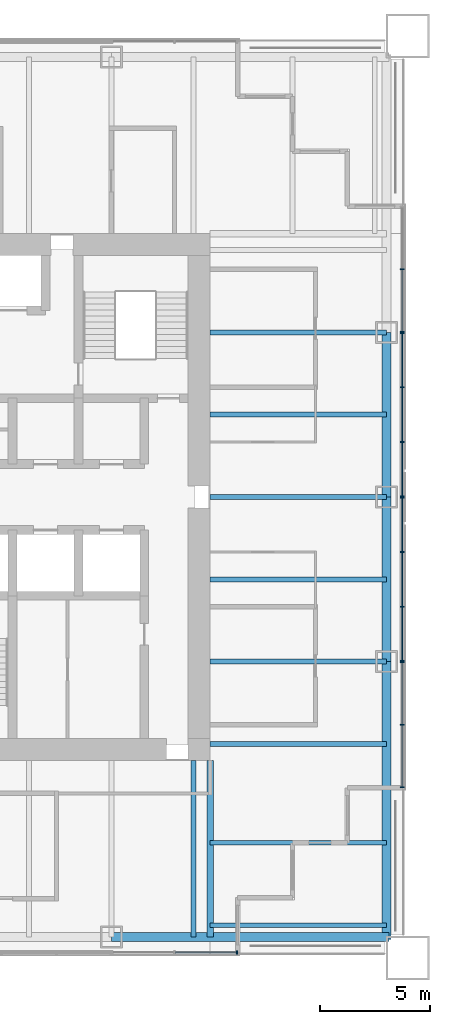
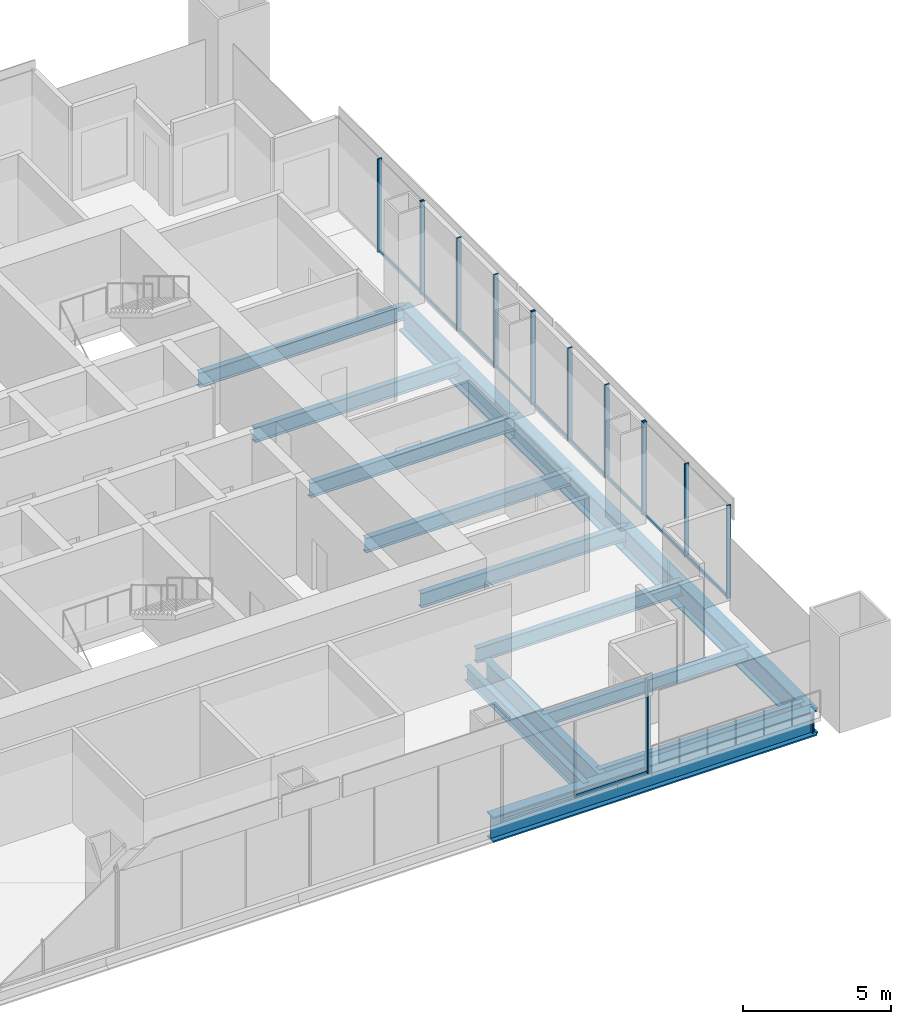
# One storey, part 5 of 14: 24 members, 14 beams, 5 elements without a shape of their own.
"""IFC4 building model written with IfcOpenShell, lengths in metres."""

from ifc_helpers import new_model, si_unit, direction, frame, origin, origin_2d, place, context, subcontext, project, spatial, rectangle, i_section, extrude, material, material_profile, profile_set, type_object, element, aggregate, save


model = new_model("IFC4")

# Units and contexts
model_context = context("Model", 3, precision=1e-05, world=origin(), true_north=direction((0.0, 1.0)))
body_context = subcontext(model_context, "Body", "Model", "MODEL_VIEW")
ifc_project = project(units=[si_unit("LENGTHUNIT", "METRE"), si_unit("AREAUNIT", "SQUARE_METRE"), si_unit("VOLUMEUNIT", "CUBIC_METRE"), si_unit("PLANEANGLEUNIT", "RADIAN"), si_unit("MASSUNIT", "GRAM", prefix="KILO")], contexts=[model_context])

# Site, building, storey
site_placement = place(None, origin())
site = spatial("IfcSite", under=ifc_project, at=site_placement, CompositionType="ELEMENT")
building_placement = place(site_placement, origin())
building = spatial("IfcBuilding", under=site, at=building_placement, Name="Tarangal Relay Tower", CompositionType="ELEMENT")
storey_placement = place(building_placement, frame((0.0, 0.0, 311.89990234375)))
storey = spatial("IfcBuildingStorey", under=building, at=storey_placement, Name="L69", CompositionType="ELEMENT", Elevation=311.89990234375)

# Beams
ifc_material_1 = material(Name="Steel ASTM A992", Category="steel")
ifc_material_profile_1 = material_profile(ifc_material_1, i_section(OverallWidth=0.209228515625, OverallDepth=0.533447265625, WebThickness=0.01025390625, FlangeThickness=0.015625, at=origin_2d()), Name="W21X62")
ifc_profile_set_1 = profile_set([ifc_material_profile_1], Name="Steel ASTM A992")
beam_type_1 = type_object("IfcBeamType", Name="Corner beam W21X62", PredefinedType="JOIST", material=ifc_profile_set_1)
for number, where, z_axis, x_axis, name in (
    (1, (12.0, -15.75, -0.41650390625), (1.0, 0.0, 0.0), (0.0, 1.0, 0.0), "Corner beam CB12 E L69"),
    (2, (12.0, -19.5, -0.41650390625), (1.0, 0.0, 0.0), (0.0, 1.0, 0.0), "Corner beam CB12 E L69"),
):
    element("IfcBeam", number, at=place(storey_placement, frame(where, z_axis=z_axis, x_axis=x_axis)), inside=storey, type_object=beam_type_1, Name=name, PredefinedType="JOIST", context=body_context, shape_type="SweptSolid", body=[
        extrude(i_section(OverallWidth=0.209228515625, OverallDepth=0.533447265625, WebThickness=0.01025390625, FlangeThickness=0.015625, at=origin_2d()), origin(), (0.0, 0.0, 1.0), 8.0400390625),
    ])
ifc_material_profile_2 = material_profile(ifc_material_1, i_section(OverallWidth=0.2919921875, OverallDepth=0.8408203125, WebThickness=0.0146484375, FlangeThickness=0.021728515625, at=origin_2d()), Name="W33X130")
ifc_profile_set_2 = profile_set([ifc_material_profile_2], Name="Steel ASTM A992")
beam_type_2 = type_object("IfcBeamType", Name="Corner girder W33X130", PredefinedType="BEAM", material=ifc_profile_set_2)
beam_placement = place(storey_placement, frame((12.0, -12.0, -0.5703125), z_axis=(0.0, -1.0, 0.0), x_axis=(1.0, 0.0, 0.0)))
element("IfcBeam", 3, at=beam_placement, inside=storey, type_object=beam_type_2, Name="Corner girder CG5 E L69", PredefinedType="BEAM", context=body_context, shape_type="SweptSolid", body=[
    extrude(i_section(OverallWidth=0.2919921875, OverallDepth=0.8408203125, WebThickness=0.0146484375, FlangeThickness=0.021728515625, at=origin_2d()), origin(), (0.0, 0.0, 1.0), 8.0400390625),
])
ifc_material_profile_3 = material_profile(ifc_material_1, i_section(OverallWidth=0.41162109375, OverallDepth=1.049072265625, WebThickness=0.033935546875, FlangeThickness=0.059814453125, at=origin_2d()), Name="W40X431")
ifc_profile_set_3 = profile_set([ifc_material_profile_3], Name="Steel ASTM A992")
beam_type_3 = type_object("IfcBeamType", Name="Edge girder W40X431", PredefinedType="SPANDREL", material=ifc_profile_set_3)
for number, where, z_axis, x_axis, name in (
    (4, (20.0400390625, 7.5, -0.67431640625), (0.0, -1.0, 0.0), (1.0, 0.0, 0.0), "Edge girder EG1 E L69"),
    (5, (20.0400390625, 0.0, -0.67431640625), (0.0, -1.0, 0.0), (1.0, 0.0, 0.0), "Edge girder EG1 E L69"),
):
    element("IfcBeam", number, at=place(storey_placement, frame(where, z_axis=z_axis, x_axis=x_axis)), inside=storey, type_object=beam_type_3, Name=name, PredefinedType="SPANDREL", context=body_context, shape_type="SweptSolid", body=[
        extrude(i_section(OverallWidth=0.41162109375, OverallDepth=1.049072265625, WebThickness=0.033935546875, FlangeThickness=0.059814453125, at=origin_2d()), origin(), (0.0, 0.0, 1.0), 7.5),
    ])
for number, where, z_axis, x_axis, name in (
    (6, (20.0400390625, -7.5, -0.67431640625), (0.0, -1.0, 0.0), (1.0, 0.0, 0.0), "Edge girder EG1 E L69"),
    (7, (20.14990234375, -20.0400390625, -0.67431640625), (-1.0, 0.0, 0.0), (0.0, -1.0, 0.0), "Edge girder EG1 S L69"),
):
    element("IfcBeam", number, at=place(storey_placement, frame(where, z_axis=z_axis, x_axis=x_axis)), inside=storey, type_object=beam_type_3, Name=name, PredefinedType="SPANDREL", context=body_context, shape_type="SweptSolid", body=[
        extrude(i_section(OverallWidth=0.41162109375, OverallDepth=1.049072265625, WebThickness=0.033935546875, FlangeThickness=0.059814453125, at=origin_2d()), origin(), (0.0, 0.0, 1.0), 12.64990234375),
    ])
ifc_material_profile_4 = material_profile(ifc_material_1, i_section(OverallWidth=0.228271484375, OverallDepth=0.607177734375, WebThickness=0.01123046875, FlangeThickness=0.017333984375, at=origin_2d()), Name="W24X76")
ifc_profile_set_4 = profile_set([ifc_material_profile_4], Name="Steel ASTM A992")
beam_type_4 = type_object("IfcBeamType", Name="Floor beam W24X76", PredefinedType="BEAM", material=ifc_profile_set_4)
for number, where, z_axis, x_axis, name in (
    (8, (12.0, 7.5, -0.453369140625), (1.0, 0.0, 0.0), (0.0, 1.0, 0.0), "Floor beam RB5 E L69"),
    (9, (12.0, 3.75, -0.453369140625), (1.0, 0.0, 0.0), (0.0, 1.0, 0.0), "Floor beam RB5 E L69"),
    (10, (12.0, 0.0, -0.453369140625), (1.0, 0.0, 0.0), (0.0, 1.0, 0.0), "Floor beam RB5 E L69"),
    (11, (12.0, -3.75, -0.453369140625), (1.0, 0.0, 0.0), (0.0, 1.0, 0.0), "Floor beam RB5 E L69"),
    (12, (12.0, -7.5, -0.453369140625), (1.0, 0.0, 0.0), (0.0, 1.0, 0.0), "Floor beam RB5 E L69"),
    (13, (12.0, -11.25, -0.453369140625), (1.0, 0.0, 0.0), (0.0, 1.0, 0.0), "Floor beam RB5 E L69"),
    (14, (11.25, -12.0, -0.453369140625), (0.0, -1.0, 0.0), (1.0, 0.0, 0.0), "Floor beam RB5 S L69"),
):
    element("IfcBeam", number, at=place(storey_placement, frame(where, z_axis=z_axis, x_axis=x_axis)), inside=storey, type_object=beam_type_4, Name=name, PredefinedType="BEAM", context=body_context, shape_type="SweptSolid", body=[
        extrude(i_section(OverallWidth=0.228271484375, OverallDepth=0.607177734375, WebThickness=0.01123046875, FlangeThickness=0.017333984375, at=origin_2d()), origin(), (0.0, 0.0, 1.0), 8.0400390625),
    ])

# Curtain wall, members
ifc_material_2 = material(Name="Unitised curtain wall, dark glass and black aluminium", Category="aluminium")
curtain_wall_type_1 = type_object("IfcCurtainWallType", Name="Curtain wall CW-B", PredefinedType="USERDEFINED", material=ifc_material_2)
curtain_wall_1_placement = place(storey_placement, origin())
curtain_wall_1 = element("IfcCurtainWall", 15, at=curtain_wall_1_placement, inside=storey, type_object=curtain_wall_type_1, Name="Curtain wall CW-B E facade L69", ObjectType="UNITISED CURTAIN WALL", PredefinedType="USERDEFINED")
ifc_material_3 = material(Name="Black anodised aluminium mullion", Category="aluminium")
ifc_material_profile_5 = material_profile(ifc_material_3, rectangle(XDim=0.159912109375, YDim=0.06005859375, at=origin_2d()), Name="CW-BM 60X160")
ifc_profile_set_5 = profile_set([ifc_material_profile_5], Name="Black anodised aluminium mullion")
member_type_1 = type_object("IfcMemberType", Name="Mullion CW-B 60 x 160", PredefinedType="MULLION", material=ifc_profile_set_5)
member_1_placement = place(storey_placement, frame((20.75, 10.375, 0.0), z_axis=(0.0, 0.0, 1.0), x_axis=(1.0, 0.0, 0.0)))
member_1 = element("IfcMember", 16, at=member_1_placement, type_object=member_type_1, Name="CW-B mullion 2", PredefinedType="MULLION", context=body_context, shape_type="SweptSolid", body=[
    extrude(rectangle(XDim=0.159912109375, YDim=0.06005859375, at=origin_2d()), origin(), (0.0, 0.0, 1.0), 3.85009765625),
])
member_2_placement = place(storey_placement, frame((20.75, 7.530029296875, 0.0), z_axis=(0.0, 0.0, 1.0), x_axis=(1.0, 0.0, 0.0)))
member_2 = element("IfcMember", 17, at=member_2_placement, type_object=member_type_1, Name="CW-B mullion 3", PredefinedType="MULLION", context=body_context, shape_type="SweptSolid", body=[
    extrude(rectangle(XDim=0.159912109375, YDim=0.06005859375, at=origin_2d()), origin(), (0.0, 0.0, 1.0), 3.85009765625),
])

curtain_wall_2_placement = place(storey_placement, origin())
curtain_wall_2 = element("IfcCurtainWall", 18, at=curtain_wall_2_placement, inside=storey, type_object=curtain_wall_type_1, Name="Curtain wall CW-B E facade L69", ObjectType="UNITISED CURTAIN WALL", PredefinedType="USERDEFINED")
member_3_placement = place(storey_placement, frame((20.75, -7.530029296875, 0.0), z_axis=(0.0, 0.0, 1.0), x_axis=(1.0, 0.0, 0.0)))
member_3 = element("IfcMember", 19, at=member_3_placement, type_object=member_type_1, Name="CW-B mullion 1", PredefinedType="MULLION", context=body_context, shape_type="SweptSolid", body=[
    extrude(rectangle(XDim=0.159912109375, YDim=0.06005859375, at=origin_2d()), origin(), (0.0, 0.0, 1.0), 3.85009765625),
])
member_4_placement = place(storey_placement, frame((20.75, -10.375, 0.0), z_axis=(0.0, 0.0, 1.0), x_axis=(1.0, 0.0, 0.0)))
member_4 = element("IfcMember", 20, at=member_4_placement, type_object=member_type_1, Name="CW-B mullion 2", PredefinedType="MULLION", context=body_context, shape_type="SweptSolid", body=[
    extrude(rectangle(XDim=0.159912109375, YDim=0.06005859375, at=origin_2d()), origin(), (0.0, 0.0, 1.0), 3.85009765625),
])
member_5_placement = place(storey_placement, frame((20.75, -13.219970703125, 0.0), z_axis=(0.0, 0.0, 1.0), x_axis=(1.0, 0.0, 0.0)))
member_5 = element("IfcMember", 21, at=member_5_placement, type_object=member_type_1, Name="CW-B mullion 3", PredefinedType="MULLION", context=body_context, shape_type="SweptSolid", body=[
    extrude(rectangle(XDim=0.159912109375, YDim=0.06005859375, at=origin_2d()), origin(), (0.0, 0.0, 1.0), 3.85009765625),
])

# Curtain wall, member
curtain_wall_3_placement = place(storey_placement, origin())
curtain_wall_3 = element("IfcCurtainWall", 22, at=curtain_wall_3_placement, inside=storey, type_object=curtain_wall_type_1, Name="Curtain wall CW-B S facade L69", ObjectType="UNITISED CURTAIN WALL", PredefinedType="USERDEFINED")
member_6_placement = place(storey_placement, frame((13.219970703125, -20.75, 0.0), z_axis=(0.0, 0.0, 1.0), x_axis=(0.0, -1.0, 0.0)))
member_6 = element("IfcMember", 23, at=member_6_placement, type_object=member_type_1, Name="CW-B mullion 1", PredefinedType="MULLION", context=body_context, shape_type="SweptSolid", body=[
    extrude(rectangle(XDim=0.159912109375, YDim=0.06005859375, at=origin_2d()), origin(), (0.0, 0.0, 1.0), 3.85009765625),
])

# Curtain wall, members
ifc_material_4 = material(Name="Unitised curtain wall frame, black aluminium, with metal clad infill walls", Category="aluminium")
curtain_wall_type_2 = type_object("IfcCurtainWallType", Name="Curtain wall CW-BO", PredefinedType="USERDEFINED", material=ifc_material_4)
curtain_wall_4_placement = place(storey_placement, origin())
curtain_wall_4 = element("IfcCurtainWall", 24, at=curtain_wall_4_placement, inside=storey, type_object=curtain_wall_type_2, Name="Curtain wall CW-BO E facade L69", ObjectType="UNITISED CURTAIN WALL", PredefinedType="USERDEFINED")
ifc_material_profile_6 = material_profile(ifc_material_3, rectangle(XDim=0.159912109375, YDim=0.06005859375, at=origin_2d()), Name="CW-BOM 60X160")
ifc_profile_set_6 = profile_set([ifc_material_profile_6], Name="Black anodised aluminium mullion")
member_type_2 = type_object("IfcMemberType", Name="Mullion CW-BO 60 x 160", PredefinedType="MULLION", material=ifc_profile_set_6)
member_7_placement = place(storey_placement, frame((20.75, 7.469970703125, 0.0), z_axis=(0.0, 0.0, 1.0), x_axis=(1.0, 0.0, 0.0)))
member_7 = element("IfcMember", 25, at=member_7_placement, type_object=member_type_2, Name="CW-BO mullion 1", PredefinedType="MULLION", context=body_context, shape_type="SweptSolid", body=[
    extrude(rectangle(XDim=0.159912109375, YDim=0.06005859375, at=origin_2d()), origin(), (0.0, 0.0, 1.0), 3.85009765625),
])
member_8_placement = place(storey_placement, frame((20.75, 5.0, 0.0), z_axis=(0.0, 0.0, 1.0), x_axis=(1.0, 0.0, 0.0)))
member_8 = element("IfcMember", 26, at=member_8_placement, type_object=member_type_2, Name="CW-BO mullion 2", PredefinedType="MULLION", context=body_context, shape_type="SweptSolid", body=[
    extrude(rectangle(XDim=0.159912109375, YDim=0.06005859375, at=origin_2d()), origin(), (0.0, 0.0, 1.0), 3.85009765625),
])
member_9_placement = place(storey_placement, frame((20.75, 2.5, 0.0), z_axis=(0.0, 0.0, 1.0), x_axis=(1.0, 0.0, 0.0)))
member_9 = element("IfcMember", 27, at=member_9_placement, type_object=member_type_2, Name="CW-BO mullion 3", PredefinedType="MULLION", context=body_context, shape_type="SweptSolid", body=[
    extrude(rectangle(XDim=0.159912109375, YDim=0.06005859375, at=origin_2d()), origin(), (0.0, 0.0, 1.0), 3.85009765625),
])
member_10_placement = place(storey_placement, frame((20.75, 0.030029296875, 0.0), z_axis=(0.0, 0.0, 1.0), x_axis=(1.0, 0.0, 0.0)))
member_10 = element("IfcMember", 28, at=member_10_placement, type_object=member_type_2, Name="CW-BO mullion 4", PredefinedType="MULLION", context=body_context, shape_type="SweptSolid", body=[
    extrude(rectangle(XDim=0.159912109375, YDim=0.06005859375, at=origin_2d()), origin(), (0.0, 0.0, 1.0), 3.85009765625),
])

curtain_wall_5_placement = place(storey_placement, origin())
curtain_wall_5 = element("IfcCurtainWall", 29, at=curtain_wall_5_placement, inside=storey, type_object=curtain_wall_type_2, Name="Curtain wall CW-BO E facade L69", ObjectType="UNITISED CURTAIN WALL", PredefinedType="USERDEFINED")
member_11_placement = place(storey_placement, frame((20.75, -0.030029296875, 0.0), z_axis=(0.0, 0.0, 1.0), x_axis=(1.0, 0.0, 0.0)))
member_11 = element("IfcMember", 30, at=member_11_placement, type_object=member_type_2, Name="CW-BO mullion 1", PredefinedType="MULLION", context=body_context, shape_type="SweptSolid", body=[
    extrude(rectangle(XDim=0.159912109375, YDim=0.06005859375, at=origin_2d()), origin(), (0.0, 0.0, 1.0), 3.85009765625),
])
member_12_placement = place(storey_placement, frame((20.75, -2.5, 0.0), z_axis=(0.0, 0.0, 1.0), x_axis=(1.0, 0.0, 0.0)))
member_12 = element("IfcMember", 31, at=member_12_placement, type_object=member_type_2, Name="CW-BO mullion 2", PredefinedType="MULLION", context=body_context, shape_type="SweptSolid", body=[
    extrude(rectangle(XDim=0.159912109375, YDim=0.06005859375, at=origin_2d()), origin(), (0.0, 0.0, 1.0), 3.85009765625),
])
member_13_placement = place(storey_placement, frame((20.75, -5.0, 0.0), z_axis=(0.0, 0.0, 1.0), x_axis=(1.0, 0.0, 0.0)))
member_13 = element("IfcMember", 32, at=member_13_placement, type_object=member_type_2, Name="CW-BO mullion 3", PredefinedType="MULLION", context=body_context, shape_type="SweptSolid", body=[
    extrude(rectangle(XDim=0.159912109375, YDim=0.06005859375, at=origin_2d()), origin(), (0.0, 0.0, 1.0), 3.85009765625),
])
member_14_placement = place(storey_placement, frame((20.75, -7.469970703125, 0.0), z_axis=(0.0, 0.0, 1.0), x_axis=(1.0, 0.0, 0.0)))
member_14 = element("IfcMember", 33, at=member_14_placement, type_object=member_type_2, Name="CW-BO mullion 4", PredefinedType="MULLION", context=body_context, shape_type="SweptSolid", body=[
    extrude(rectangle(XDim=0.159912109375, YDim=0.06005859375, at=origin_2d()), origin(), (0.0, 0.0, 1.0), 3.85009765625),
])

# Member
ifc_material_5 = material(Name="Black anodised aluminium transom", Category="aluminium")
ifc_material_profile_7 = material_profile(ifc_material_5, rectangle(XDim=0.06005859375, YDim=0.1298828125, at=origin_2d()), Name="CW-BT 60X130")
ifc_profile_set_7 = profile_set([ifc_material_profile_7], Name="Black anodised aluminium transom")
member_type_3 = type_object("IfcMemberType", Name="Transom CW-B 60 x 130", PredefinedType="USERDEFINED", material=ifc_profile_set_7)
member_15_placement = place(storey_placement, frame((20.75, 10.344970703125, 0.030029296875), z_axis=(0.0, -1.0, 0.0), x_axis=(1.0, 0.0, 0.0)))
member_15 = element("IfcMember", 34, at=member_15_placement, type_object=member_type_3, Name="CW-B transom 2.1", ObjectType="TRANSOM", PredefinedType="USERDEFINED", context=body_context, shape_type="SweptSolid", body=[
    extrude(rectangle(XDim=0.06005859375, YDim=0.1298828125, at=origin_2d()), origin(), (0.0, 0.0, 1.0), 2.784912109375),
])

aggregate(curtain_wall_1, [member_1, member_2, member_15])

member_16_placement = place(storey_placement, frame((20.75, -7.56005859375, 0.030029296875), z_axis=(0.0, -1.0, 0.0), x_axis=(1.0, 0.0, 0.0)))
member_16 = element("IfcMember", 35, at=member_16_placement, type_object=member_type_3, Name="CW-B transom 1.1", ObjectType="TRANSOM", PredefinedType="USERDEFINED", context=body_context, shape_type="SweptSolid", body=[
    extrude(rectangle(XDim=0.06005859375, YDim=0.1298828125, at=origin_2d()), origin(), (0.0, 0.0, 1.0), 2.784912109375),
])

member_17_placement = place(storey_placement, frame((20.75, -10.405029296875, 0.030029296875), z_axis=(0.0, -1.0, 0.0), x_axis=(1.0, 0.0, 0.0)))
member_17 = element("IfcMember", 36, at=member_17_placement, type_object=member_type_3, Name="CW-B transom 2.1", ObjectType="TRANSOM", PredefinedType="USERDEFINED", context=body_context, shape_type="SweptSolid", body=[
    extrude(rectangle(XDim=0.06005859375, YDim=0.1298828125, at=origin_2d()), origin(), (0.0, 0.0, 1.0), 2.784912109375),
])

aggregate(curtain_wall_2, [member_3, member_4, member_5, member_16, member_17])

member_18_placement = place(storey_placement, frame((13.18994140625, -20.75, 0.030029296875), z_axis=(-1.0, 0.0, 0.0), x_axis=(0.0, -1.0, 0.0)))
member_18 = element("IfcMember", 37, at=member_18_placement, type_object=member_type_3, Name="CW-B transom 1.1", ObjectType="TRANSOM", PredefinedType="USERDEFINED", context=body_context, shape_type="SweptSolid", body=[
    extrude(rectangle(XDim=0.06005859375, YDim=0.1298828125, at=origin_2d()), origin(), (0.0, 0.0, 1.0), 2.784912109375),
])

aggregate(curtain_wall_3, [member_6, member_18])

ifc_material_profile_8 = material_profile(ifc_material_5, rectangle(XDim=0.06005859375, YDim=0.1298828125, at=origin_2d()), Name="CW-BOT 60X130")
ifc_profile_set_8 = profile_set([ifc_material_profile_8], Name="Black anodised aluminium transom")
member_type_4 = type_object("IfcMemberType", Name="Transom CW-BO 60 x 130", PredefinedType="USERDEFINED", material=ifc_profile_set_8)
member_19_placement = place(storey_placement, frame((20.75, 7.43994140625, 0.030029296875), z_axis=(0.0, -1.0, 0.0), x_axis=(1.0, 0.0, 0.0)))
member_19 = element("IfcMember", 38, at=member_19_placement, type_object=member_type_4, Name="CW-BO transom 1.1", ObjectType="TRANSOM", PredefinedType="USERDEFINED", context=body_context, shape_type="SweptSolid", body=[
    extrude(rectangle(XDim=0.06005859375, YDim=0.1298828125, at=origin_2d()), origin(), (0.0, 0.0, 1.0), 2.409912109375),
])

member_20_placement = place(storey_placement, frame((20.75, 4.969970703125, 0.030029296875), z_axis=(0.0, -1.0, 0.0), x_axis=(1.0, 0.0, 0.0)))
member_20 = element("IfcMember", 39, at=member_20_placement, type_object=member_type_4, Name="CW-BO transom 2.1", ObjectType="TRANSOM", PredefinedType="USERDEFINED", context=body_context, shape_type="SweptSolid", body=[
    extrude(rectangle(XDim=0.06005859375, YDim=0.1298828125, at=origin_2d()), origin(), (0.0, 0.0, 1.0), 2.43994140625),
])

member_21_placement = place(storey_placement, frame((20.75, 2.469970703125, 0.030029296875), z_axis=(0.0, -1.0, 0.0), x_axis=(1.0, 0.0, 0.0)))
member_21 = element("IfcMember", 40, at=member_21_placement, type_object=member_type_4, Name="CW-BO transom 3.1", ObjectType="TRANSOM", PredefinedType="USERDEFINED", context=body_context, shape_type="SweptSolid", body=[
    extrude(rectangle(XDim=0.06005859375, YDim=0.1298828125, at=origin_2d()), origin(), (0.0, 0.0, 1.0), 2.409912109375),
])

aggregate(curtain_wall_4, [member_7, member_8, member_9, member_10, member_19, member_20, member_21])

member_22_placement = place(storey_placement, frame((20.75, -0.06005859375, 0.030029296875), z_axis=(0.0, -1.0, 0.0), x_axis=(1.0, 0.0, 0.0)))
member_22 = element("IfcMember", 41, at=member_22_placement, type_object=member_type_4, Name="CW-BO transom 1.1", ObjectType="TRANSOM", PredefinedType="USERDEFINED", context=body_context, shape_type="SweptSolid", body=[
    extrude(rectangle(XDim=0.06005859375, YDim=0.1298828125, at=origin_2d()), origin(), (0.0, 0.0, 1.0), 2.409912109375),
])

member_23_placement = place(storey_placement, frame((20.75, -2.530029296875, 0.030029296875), z_axis=(0.0, -1.0, 0.0), x_axis=(1.0, 0.0, 0.0)))
member_23 = element("IfcMember", 42, at=member_23_placement, type_object=member_type_4, Name="CW-BO transom 2.1", ObjectType="TRANSOM", PredefinedType="USERDEFINED", context=body_context, shape_type="SweptSolid", body=[
    extrude(rectangle(XDim=0.06005859375, YDim=0.1298828125, at=origin_2d()), origin(), (0.0, 0.0, 1.0), 2.43994140625),
])

member_24_placement = place(storey_placement, frame((20.75, -5.030029296875, 0.030029296875), z_axis=(0.0, -1.0, 0.0), x_axis=(1.0, 0.0, 0.0)))
member_24 = element("IfcMember", 43, at=member_24_placement, type_object=member_type_4, Name="CW-BO transom 3.1", ObjectType="TRANSOM", PredefinedType="USERDEFINED", context=body_context, shape_type="SweptSolid", body=[
    extrude(rectangle(XDim=0.06005859375, YDim=0.1298828125, at=origin_2d()), origin(), (0.0, 0.0, 1.0), 2.409912109375),
])

aggregate(curtain_wall_5, [member_11, member_12, member_13, member_14, member_22, member_23, member_24])

save(model, "model.ifc")
